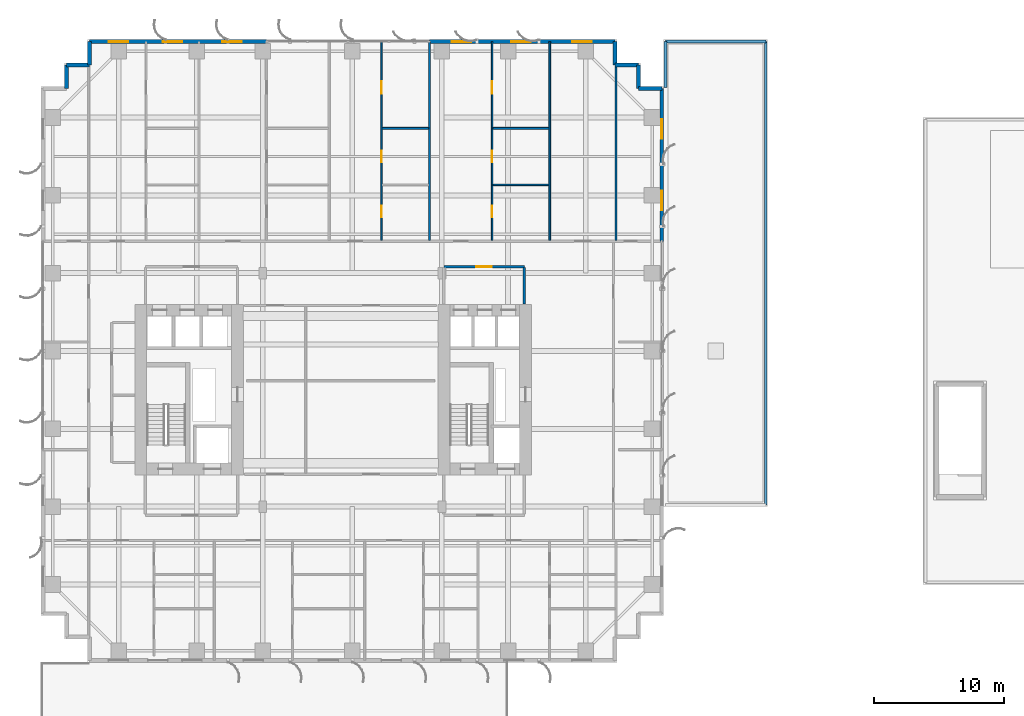
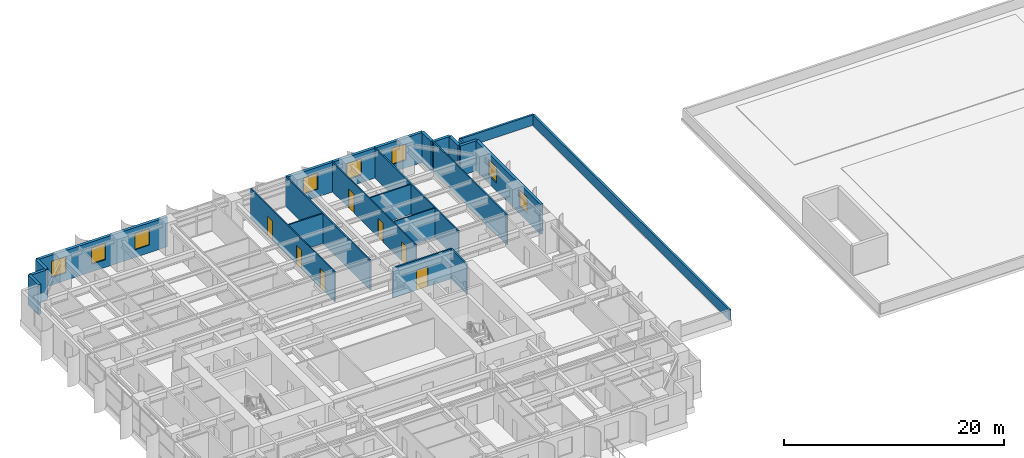
# One storey, part 15 of 21: 23 walls, 8 windows, 7 doors, 15 openings.
"""IFC4 building model written with IfcOpenShell, lengths in metres."""

from ifc_helpers import new_model, si_unit, direction, frame, frame_2d, origin, place, context, subcontext, project, spatial, rectangle, extrude, source, transform, mapped, material, layer, layer_set, type_object, element, fill, save


model = new_model("IFC4")

# Units and contexts
model_context = context("Model", 3, precision=1e-05, world=origin(), true_north=direction((0.0, 1.0)))
body_context = subcontext(model_context, "Body", "Model", "MODEL_VIEW")
ifc_project = project(units=[si_unit("LENGTHUNIT", "METRE"), si_unit("AREAUNIT", "SQUARE_METRE"), si_unit("VOLUMEUNIT", "CUBIC_METRE"), si_unit("PLANEANGLEUNIT", "RADIAN"), si_unit("MASSUNIT", "GRAM", prefix="KILO")], contexts=[model_context])

# Site, building, storey
site_placement = place(None, origin())
site = spatial("IfcSite", under=ifc_project, at=site_placement, CompositionType="ELEMENT")
building_placement = place(site_placement, origin())
building = spatial("IfcBuilding", under=site, at=building_placement, Name="Khoralis Quay Care Tower", CompositionType="ELEMENT")
storey_placement = place(building_placement, frame((0.0, 0.0, 22.5)))
storey = spatial("IfcBuildingStorey", under=building, at=storey_placement, Name="L05", CompositionType="ELEMENT", Elevation=22.5)

# Wall, opening, door
ifc_material_1 = material(Name="Gypsum plasterboard on acoustic metal stud")
ifc_layer_1 = layer(ifc_material_1, 0.1650390625)
ifc_layer_set_1 = layer_set([ifc_layer_1], Name="Gypsum plasterboard on acoustic metal stud")
wall_type_1 = type_object("IfcWallType", Name="WL-CORR-165", PredefinedType="PARTITIONING", material=ifc_layer_set_1)
wall_1_placement = place(storey_placement, frame((31.050048828125, 30.5, 0.0), z_axis=(0.0, 0.0, 1.0), x_axis=(1.0, 0.0, 0.0)))
wall_1 = element("IfcWall", 1, at=wall_1_placement, inside=storey, type_object=wall_type_1, Name="L05 East Lift Lobby North Wall", PredefinedType="PARTITIONING", context=body_context, shape_type="SweptSolid", body=[
    extrude(rectangle(XDim=6.199951171875, YDim=0.1650390625, at=frame_2d((3.10009765625, 0.0))), origin(), (0.0, 0.0, 1.0), 3.320068359375),
])
opening_1_placement = place(wall_1_placement, frame((2.5, 0.0, 0.0)))
opening_1 = element("IfcOpeningElement", 2, at=opening_1_placement, cuts=wall_1, Name="Opening FD1", PredefinedType="OPENING", context=body_context, shape_type="SweptSolid", body=[
    extrude(rectangle(XDim=1.199951171875, YDim=2.199951171875, at=frame_2d((0.60009765625, 1.10009765625))), frame((0.0, 0.092529296875, 0.0), z_axis=(0.0, -1.0, 0.0), x_axis=(1.0, 0.0, 0.0)), (0.0, 0.0, 1.0), 0.18505859375),
])
ifc_material_2 = material(Name="Fire-rated painted steel", Category="steel")
door_type_1 = type_object("IfcDoorType", Name="DR-FFL-1200X2200", OperationType="NOTDEFINED", PredefinedType="DOOR", material=ifc_material_2)
shared_shape_1 = source(origin(), body_context, "Body", "SweptSolid", [
    extrude(rectangle(XDim=1.199951171875, YDim=2.199951171875, at=frame_2d((0.60009765625, 1.10009765625))), frame((0.0, 0.02490234375, 0.0), z_axis=(0.0, -1.0, 0.0), x_axis=(1.0, 0.0, 0.0)), (0.0, 0.0, 1.0), 0.050048828125),
])
door_1_placement = place(opening_1_placement, origin())
door_1 = element("IfcDoor", 3, at=door_1_placement, inside=storey, type_object=door_type_1, Name="L05 East Lift Lobby Double Door", OperationType="DOUBLE_DOOR_SINGLE_SWING", OverallHeight=2.199951171875, OverallWidth=1.199951171875, PredefinedType="DOOR", context=body_context, shape_type="MappedRepresentation", body=[
    mapped(shared_shape_1, transform((0.0, 0.0, 0.0), scale=1.0)),
])
fill(opening_1, door_1)

# Wall
wall_2_placement = place(storey_placement, frame((37.25, 27.6201171875, 0.0), z_axis=(0.0, 0.0, 1.0), x_axis=(0.0, 1.0, 0.0)))
element("IfcWall", 4, at=wall_2_placement, inside=storey, type_object=wall_type_1, Name="L05 East Lift Lobby East Wall", PredefinedType="PARTITIONING", context=body_context, shape_type="SweptSolid", body=[
    extrude(rectangle(XDim=2.802490234375, YDim=0.1650390625, at=frame_2d((1.4013671875, 0.0))), origin(), (0.0, 0.0, 1.0), 3.320068359375),
])

# Wall, openings, windows
ifc_material_3 = material(Name="Precast concrete C45/55", Category="concrete")
ifc_layer_2 = layer(ifc_material_3, 0.300048828125)
ifc_layer_set_2 = layer_set([ifc_layer_2], Name="Precast concrete C45/55")
wall_type_2 = type_object("IfcWallType", Name="WL-EXT-REF-300", PredefinedType="SOLIDWALL", material=ifc_layer_set_2)
wall_3_placement = place(storey_placement, frame((47.85009765625, 32.4599609375, 0.0), z_axis=(0.0, 0.0, 1.0), x_axis=(0.0, 1.0, 0.0)))
wall_3 = element("IfcWall", 5, at=wall_3_placement, inside=storey, type_object=wall_type_2, Name="L05 External Facade Wall WL-EXT-L05-P1-E5B", PredefinedType="SOLIDWALL", context=body_context, shape_type="SweptSolid", body=[
    extrude(rectangle(XDim=11.7900390625, YDim=0.300048828125, at=frame_2d((5.89501953125, 0.0))), origin(), (0.0, 0.0, 1.0), 3.320068359375),
])
opening_2_placement = place(wall_3_placement, frame((2.37744140625, 0.0, 0.85009765625)))
opening_2 = element("IfcOpeningElement", 6, at=opening_2_placement, cuts=wall_3, Name="Opening W3", PredefinedType="OPENING", context=body_context, shape_type="SweptSolid", body=[
    extrude(rectangle(XDim=1.5, YDim=1.800048828125, at=frame_2d((0.75, 0.89990234375))), frame((0.0, 0.16015625, 0.0), z_axis=(0.0, -1.0, 0.0), x_axis=(1.0, 0.0, 0.0)), (0.0, 0.0, 1.0), 0.320068359375),
])
opening_3_placement = place(wall_3_placement, frame((7.91259765625, 0.0, 0.85009765625)))
opening_3 = element("IfcOpeningElement", 7, at=opening_3_placement, cuts=wall_3, Name="Opening W3", PredefinedType="OPENING", context=body_context, shape_type="SweptSolid", body=[
    extrude(rectangle(XDim=1.5, YDim=1.800048828125, at=frame_2d((0.75, 0.89990234375))), frame((0.0, 0.16015625, 0.0), z_axis=(0.0, -1.0, 0.0), x_axis=(1.0, 0.0, 0.0)), (0.0, 0.0, 1.0), 0.320068359375),
])
ifc_material_4 = material(Name="Low-E solar-control double glazing", Category="glass")
window_type = type_object("IfcWindowType", Name="WN-CLIN-1500X1800", PartitioningType="SINGLE_PANEL", PredefinedType="WINDOW", material=ifc_material_4)
shared_shape_2 = source(origin(), body_context, "Body", "SweptSolid", [
    extrude(rectangle(XDim=1.5, YDim=1.800048828125, at=frame_2d((0.75, 0.89990234375))), frame((0.0, 0.030029296875, 0.0), z_axis=(0.0, -1.0, 0.0), x_axis=(1.0, 0.0, 0.0)), (0.0, 0.0, 1.0), 0.06005859375),
])
window_1_placement = place(opening_2_placement, origin())
window_1 = element("IfcWindow", 8, at=window_1_placement, inside=storey, type_object=window_type, Name="WN-L05-P1-E5B Facade Window 01", OverallHeight=1.800048828125, OverallWidth=1.5, PartitioningType="SINGLE_PANEL", PredefinedType="WINDOW", context=body_context, shape_type="MappedRepresentation", body=[
    mapped(shared_shape_2, transform((0.0, 0.0, 0.0), scale=1.0)),
])
fill(opening_2, window_1)
window_2_placement = place(opening_3_placement, origin())
window_2 = element("IfcWindow", 9, at=window_2_placement, inside=storey, type_object=window_type, Name="WN-L05-P1-E5B Facade Window 02", OverallHeight=1.800048828125, OverallWidth=1.5, PartitioningType="SINGLE_PANEL", PredefinedType="WINDOW", context=body_context, shape_type="MappedRepresentation", body=[
    mapped(shared_shape_2, transform((0.0, 0.0, 0.0), scale=1.0)),
])
fill(opening_3, window_2)

# Walls
for number, where, z_axis, x_axis, name in (
    (10, (47.85009765625, 44.25, 0.0), (0.0, 0.0, 1.0), (-1.0, 0.0, 0.0), "L05 External Facade Wall WL-EXT-L05-P1-C6"),
    (11, (46.050048828125, 44.25, 0.0), (0.0, 0.0, 1.0), (0.0, 1.0, 0.0), "L05 External Facade Wall WL-EXT-L05-P1-C7"),
    (12, (46.050048828125, 46.050048828125, 0.0), (0.0, 0.0, 1.0), (-1.0, 0.0, 0.0), "L05 External Facade Wall WL-EXT-L05-P1-C8"),
    (13, (44.25, 46.050048828125, 0.0), (0.0, 0.0, 1.0), (0.0, 1.0, 0.0), "L05 External Facade Wall WL-EXT-L05-P1-C9"),
):
    element("IfcWall", number, at=place(storey_placement, frame(where, z_axis=z_axis, x_axis=x_axis)), inside=storey, type_object=wall_type_2, Name=name, PredefinedType="SOLIDWALL", context=body_context, shape_type="SweptSolid", body=[
        extrude(rectangle(XDim=1.800048828125, YDim=0.300048828125, at=frame_2d((0.89990234375, 0.0))), origin(), (0.0, 0.0, 1.0), 3.320068359375),
    ])

# Wall, openings, windows
wall_4_placement = place(storey_placement, frame((44.25, 47.85009765625, 0.0), z_axis=(0.0, 0.0, 1.0), x_axis=(-1.0, 0.0, 0.0)))
wall_4 = element("IfcWall", 14, at=wall_4_placement, inside=storey, type_object=wall_type_2, Name="L05 External Facade Wall WL-EXT-L05-P1-E10A", PredefinedType="SOLIDWALL", context=body_context, shape_type="SweptSolid", body=[
    extrude(rectangle(XDim=14.300048828125, YDim=0.300048828125, at=frame_2d((7.14990234375, 0.0))), origin(), (0.0, 0.0, 1.0), 3.320068359375),
])
opening_4_placement = place(wall_4_placement, frame((1.81494140625, 0.0, 0.85009765625)))
opening_4 = element("IfcOpeningElement", 15, at=opening_4_placement, cuts=wall_4, Name="Opening W3", PredefinedType="OPENING", context=body_context, shape_type="SweptSolid", body=[
    extrude(rectangle(XDim=1.5, YDim=1.800048828125, at=frame_2d((0.75, 0.89990234375))), frame((0.0, 0.16015625, 0.0), z_axis=(0.0, -1.0, 0.0), x_axis=(1.0, 0.0, 0.0)), (0.0, 0.0, 1.0), 0.320068359375),
])
opening_5_placement = place(wall_4_placement, frame((6.5048828125, 0.0, 0.85009765625)))
opening_5 = element("IfcOpeningElement", 16, at=opening_5_placement, cuts=wall_4, Name="Opening W3", PredefinedType="OPENING", context=body_context, shape_type="SweptSolid", body=[
    extrude(rectangle(XDim=1.5, YDim=1.800048828125, at=frame_2d((0.75, 0.89990234375))), frame((0.0, 0.16015625, 0.0), z_axis=(0.0, -1.0, 0.0), x_axis=(1.0, 0.0, 0.0)), (0.0, 0.0, 1.0), 0.320068359375),
])
opening_6_placement = place(wall_4_placement, frame((11.090087890625, 0.0, 0.85009765625)))
opening_6 = element("IfcOpeningElement", 17, at=opening_6_placement, cuts=wall_4, Name="Opening W3", PredefinedType="OPENING", context=body_context, shape_type="SweptSolid", body=[
    extrude(rectangle(XDim=1.5, YDim=1.800048828125, at=frame_2d((0.75, 0.89990234375))), frame((0.0, 0.16015625, 0.0), z_axis=(0.0, -1.0, 0.0), x_axis=(1.0, 0.0, 0.0)), (0.0, 0.0, 1.0), 0.320068359375),
])
window_3_placement = place(opening_4_placement, origin())
window_3 = element("IfcWindow", 18, at=window_3_placement, inside=storey, type_object=window_type, Name="WN-L05-P1-E10A Facade Window 01", OverallHeight=1.800048828125, OverallWidth=1.5, PartitioningType="SINGLE_PANEL", PredefinedType="WINDOW", context=body_context, shape_type="MappedRepresentation", body=[
    mapped(shared_shape_2, transform((0.0, 0.0, 0.0), scale=1.0)),
])
fill(opening_4, window_3)
window_4_placement = place(opening_5_placement, origin())
window_4 = element("IfcWindow", 19, at=window_4_placement, inside=storey, type_object=window_type, Name="WN-L05-P1-E10A Facade Window 02", OverallHeight=1.800048828125, OverallWidth=1.5, PartitioningType="SINGLE_PANEL", PredefinedType="WINDOW", context=body_context, shape_type="MappedRepresentation", body=[
    mapped(shared_shape_2, transform((0.0, 0.0, 0.0), scale=1.0)),
])
fill(opening_5, window_4)
window_5_placement = place(opening_6_placement, origin())
window_5 = element("IfcWindow", 20, at=window_5_placement, inside=storey, type_object=window_type, Name="WN-L05-P1-E10A Facade Window 03", OverallHeight=1.800048828125, OverallWidth=1.5, PartitioningType="SINGLE_PANEL", PredefinedType="WINDOW", context=body_context, shape_type="MappedRepresentation", body=[
    mapped(shared_shape_2, transform((0.0, 0.0, 0.0), scale=1.0)),
])
fill(opening_6, window_5)

wall_5_placement = place(storey_placement, frame((17.39599609375, 47.85009765625, 0.0), z_axis=(0.0, 0.0, 1.0), x_axis=(-1.0, 0.0, 0.0)))
wall_5 = element("IfcWall", 21, at=wall_5_placement, inside=storey, type_object=wall_type_2, Name="L05 External Facade Wall WL-EXT-L05-P1-E10B", PredefinedType="SOLIDWALL", context=body_context, shape_type="SweptSolid", body=[
    extrude(rectangle(XDim=13.64599609375, YDim=0.300048828125, at=frame_2d((6.822998046875, 0.0))), origin(), (0.0, 0.0, 1.0), 3.320068359375),
])
opening_7_placement = place(wall_5_placement, frame((1.907958984375, 0.0, 0.85009765625)))
opening_7 = element("IfcOpeningElement", 22, at=opening_7_placement, cuts=wall_5, Name="Opening W3", PredefinedType="OPENING", context=body_context, shape_type="SweptSolid", body=[
    extrude(rectangle(XDim=1.5, YDim=1.800048828125, at=frame_2d((0.75, 0.89990234375))), frame((0.0, 0.16015625, 0.0), z_axis=(0.0, -1.0, 0.0), x_axis=(1.0, 0.0, 0.0)), (0.0, 0.0, 1.0), 0.320068359375),
])
opening_8_placement = place(wall_5_placement, frame((6.506103515625, 0.0, 0.85009765625)))
opening_8 = element("IfcOpeningElement", 23, at=opening_8_placement, cuts=wall_5, Name="Opening W3", PredefinedType="OPENING", context=body_context, shape_type="SweptSolid", body=[
    extrude(rectangle(XDim=1.5, YDim=1.800048828125, at=frame_2d((0.75, 0.89990234375))), frame((0.0, 0.16015625, 0.0), z_axis=(0.0, -1.0, 0.0), x_axis=(1.0, 0.0, 0.0)), (0.0, 0.0, 1.0), 0.320068359375),
])
opening_9_placement = place(wall_5_placement, frame((10.6708984375, 0.0, 0.85009765625)))
opening_9 = element("IfcOpeningElement", 24, at=opening_9_placement, cuts=wall_5, Name="Opening W3", PredefinedType="OPENING", context=body_context, shape_type="SweptSolid", body=[
    extrude(rectangle(XDim=1.5, YDim=1.800048828125, at=frame_2d((0.75, 0.89990234375))), frame((0.0, 0.16015625, 0.0), z_axis=(0.0, -1.0, 0.0), x_axis=(1.0, 0.0, 0.0)), (0.0, 0.0, 1.0), 0.320068359375),
])
window_6_placement = place(opening_7_placement, origin())
window_6 = element("IfcWindow", 25, at=window_6_placement, inside=storey, type_object=window_type, Name="WN-L05-P1-E10B Facade Window 01", OverallHeight=1.800048828125, OverallWidth=1.5, PartitioningType="SINGLE_PANEL", PredefinedType="WINDOW", context=body_context, shape_type="MappedRepresentation", body=[
    mapped(shared_shape_2, transform((0.0, 0.0, 0.0), scale=1.0)),
])
fill(opening_7, window_6)
window_7_placement = place(opening_8_placement, origin())
window_7 = element("IfcWindow", 26, at=window_7_placement, inside=storey, type_object=window_type, Name="WN-L05-P1-E10B Facade Window 02", OverallHeight=1.800048828125, OverallWidth=1.5, PartitioningType="SINGLE_PANEL", PredefinedType="WINDOW", context=body_context, shape_type="MappedRepresentation", body=[
    mapped(shared_shape_2, transform((0.0, 0.0, 0.0), scale=1.0)),
])
fill(opening_8, window_7)
window_8_placement = place(opening_9_placement, origin())
window_8 = element("IfcWindow", 27, at=window_8_placement, inside=storey, type_object=window_type, Name="WN-L05-P1-E10B Facade Window 03", OverallHeight=1.800048828125, OverallWidth=1.5, PartitioningType="SINGLE_PANEL", PredefinedType="WINDOW", context=body_context, shape_type="MappedRepresentation", body=[
    mapped(shared_shape_2, transform((0.0, 0.0, 0.0), scale=1.0)),
])
fill(opening_9, window_8)

# Walls
for number, where, z_axis, x_axis, name in (
    (28, (3.75, 47.85009765625, 0.0), (0.0, 0.0, 1.0), (0.0, -1.0, 0.0), "L05 External Facade Wall WL-EXT-L05-P1-C11"),
    (29, (3.75, 46.050048828125, 0.0), (0.0, 0.0, 1.0), (-1.0, 0.0, 0.0), "L05 External Facade Wall WL-EXT-L05-P1-C12"),
    (30, (1.949951171875, 46.050048828125, 0.0), (0.0, 0.0, 1.0), (0.0, -1.0, 0.0), "L05 External Facade Wall WL-EXT-L05-P1-C13"),
):
    element("IfcWall", number, at=place(storey_placement, frame(where, z_axis=z_axis, x_axis=x_axis)), inside=storey, type_object=wall_type_2, Name=name, PredefinedType="SOLIDWALL", context=body_context, shape_type="SweptSolid", body=[
        extrude(rectangle(XDim=1.800048828125, YDim=0.300048828125, at=frame_2d((0.89990234375, 0.0))), origin(), (0.0, 0.0, 1.0), 3.320068359375),
    ])
ifc_material_5 = material(Name="Precast concrete C40/50", Category="concrete")
ifc_layer_3 = layer(ifc_material_5, 0.219970703125)
ifc_layer_set_3 = layer_set([ifc_layer_3], Name="Precast concrete C40/50")
wall_type_3 = type_object("IfcWallType", Name="WL-PARAPET-220", PredefinedType="PARAPET", material=ifc_layer_set_3)
wall_6_placement = place(storey_placement, frame((55.8701171875, 12.1298828125, 0.0), z_axis=(0.0, 0.0, 1.0), x_axis=(0.0, 1.0, 0.0)))
element("IfcWall", 31, at=wall_6_placement, inside=storey, type_object=wall_type_3, Name="Podium East Roof Parapet 2", PredefinedType="PARAPET", context=body_context, shape_type="SweptSolid", body=[
    extrude(rectangle(XDim=35.740234375, YDim=0.219970703125, at=frame_2d((17.8701171875, 0.0))), origin(), (0.0, 0.0, 1.0), 1.14990234375),
])
wall_7_placement = place(storey_placement, frame((55.8701171875, 47.8701171875, 0.0), z_axis=(0.0, 0.0, 1.0), x_axis=(-1.0, 0.0, 0.0)))
element("IfcWall", 32, at=wall_7_placement, inside=storey, type_object=wall_type_3, Name="Podium East Roof Parapet 3", PredefinedType="PARAPET", context=body_context, shape_type="SweptSolid", body=[
    extrude(rectangle(XDim=7.740234375, YDim=0.219970703125, at=frame_2d((3.8701171875, 0.0))), origin(), (0.0, 0.0, 1.0), 1.14990234375),
])
wall_8_placement = place(storey_placement, frame((48.1298828125, 47.8701171875, 0.0), z_axis=(0.0, 0.0, 1.0), x_axis=(0.0, -1.0, 0.0)))
element("IfcWall", 33, at=wall_8_placement, inside=storey, type_object=wall_type_3, Name="Podium East Roof Parapet 4", PredefinedType="PARAPET", context=body_context, shape_type="SweptSolid", body=[
    extrude(rectangle(XDim=3.570068359375, YDim=0.219970703125, at=frame_2d((1.78515625, 0.0))), origin(), (0.0, 0.0, 1.0), 1.14990234375),
])

# Wall, openings, doors
ifc_layer_4 = layer(ifc_material_1, 0.114990234375)
ifc_layer_set_4 = layer_set([ifc_layer_4], Name="Gypsum plasterboard on acoustic metal stud")
wall_type_4 = type_object("IfcWallType", Name="WL-PART-115", PredefinedType="PARTITIONING", material=ifc_layer_set_4)
wall_9_placement = place(storey_placement, frame((26.235107421875, 32.53759765625, 0.0), z_axis=(0.0, 0.0, 1.0), x_axis=(0.0, 1.0, 0.0)))
wall_9 = element("IfcWall", 34, at=wall_9_placement, inside=storey, type_object=wall_type_4, Name="L05 Unit 2 Internal Wall", PredefinedType="PARTITIONING", context=body_context, shape_type="SweptSolid", body=[
    extrude(rectangle(XDim=15.3173828125, YDim=0.114990234375, at=frame_2d((7.65869140625, 0.0))), origin(), (0.0, 0.0, 1.0), 3.320068359375),
])
opening_10_placement = place(wall_9_placement, frame((11.29345703125, 0.0, 0.0)))
opening_10 = element("IfcOpeningElement", 35, at=opening_10_placement, cuts=wall_9, Name="Opening ID1", PredefinedType="OPENING", context=body_context, shape_type="SweptSolid", body=[
    extrude(rectangle(XDim=0.949951171875, YDim=2.10009765625, at=frame_2d((0.47509765625, 1.050048828125))), frame((0.0, 0.0673828125, 0.0), z_axis=(0.0, -1.0, 0.0), x_axis=(1.0, 0.0, 0.0)), (0.0, 0.0, 1.0), 0.135009765625),
])
opening_11_placement = place(wall_9_placement, frame((5.9990234375, 0.0, 0.0)))
opening_11 = element("IfcOpeningElement", 36, at=opening_11_placement, cuts=wall_9, Name="Opening WD1", PredefinedType="OPENING", context=body_context, shape_type="SweptSolid", body=[
    extrude(rectangle(XDim=0.89990234375, YDim=2.10009765625, at=frame_2d((0.449951171875, 1.050048828125))), frame((0.0, 0.0673828125, 0.0), z_axis=(0.0, -1.0, 0.0), x_axis=(1.0, 0.0, 0.0)), (0.0, 0.0, 1.0), 0.135009765625),
])
opening_12_placement = place(wall_9_placement, frame((1.762939453125, 0.0, 0.0)))
opening_12 = element("IfcOpeningElement", 37, at=opening_12_placement, cuts=wall_9, Name="Opening WD1", PredefinedType="OPENING", context=body_context, shape_type="SweptSolid", body=[
    extrude(rectangle(XDim=0.89990234375, YDim=2.10009765625, at=frame_2d((0.449951171875, 1.050048828125))), frame((0.0, 0.0673828125, 0.0), z_axis=(0.0, -1.0, 0.0), x_axis=(1.0, 0.0, 0.0)), (0.0, 0.0, 1.0), 0.135009765625),
])
ifc_material_6 = material(Name="Acoustic hardwood timber", Category="wood")
door_type_2 = type_object("IfcDoorType", Name="DR-BATH-900X2100", OperationType="NOTDEFINED", PredefinedType="DOOR", material=ifc_material_6)
shared_shape_3 = source(origin(), body_context, "Body", "SweptSolid", [
    extrude(rectangle(XDim=0.89990234375, YDim=2.10009765625, at=frame_2d((0.449951171875, 1.050048828125))), frame((0.0, 0.02490234375, 0.0), z_axis=(0.0, -1.0, 0.0), x_axis=(1.0, 0.0, 0.0)), (0.0, 0.0, 1.0), 0.050048828125),
])
door_2_placement = place(opening_11_placement, frame((0.89990234375, 0.0, 0.0), z_axis=(0.0, 0.0, 1.0), x_axis=(-1.0, 0.0, 0.0)))
door_2 = element("IfcDoor", 38, at=door_2_placement, inside=storey, type_object=door_type_2, Name="L05 Apartment NB2 KIT Door", OperationType="SINGLE_SWING_LEFT", OverallHeight=2.10009765625, OverallWidth=0.89990234375, PredefinedType="DOOR", context=body_context, shape_type="MappedRepresentation", body=[
    mapped(shared_shape_3, transform((0.0, 0.0, 0.0), scale=1.0)),
])
fill(opening_11, door_2)
door_3_placement = place(opening_12_placement, frame((0.89990234375, 0.0, 0.0), z_axis=(0.0, 0.0, 1.0), x_axis=(-1.0, 0.0, 0.0)))
door_3 = element("IfcDoor", 39, at=door_3_placement, inside=storey, type_object=door_type_2, Name="L05 Apartment NB2 BTH Door", OperationType="SINGLE_SWING_RIGHT", OverallHeight=2.10009765625, OverallWidth=0.89990234375, PredefinedType="DOOR", context=body_context, shape_type="MappedRepresentation", body=[
    mapped(shared_shape_3, transform((0.0, 0.0, 0.0), scale=1.0)),
])
fill(opening_12, door_3)
door_type_3 = type_object("IfcDoorType", Name="DR-ROOM-950X2100", OperationType="NOTDEFINED", PredefinedType="DOOR", material=ifc_material_6)
shared_shape_4 = source(origin(), body_context, "Body", "SweptSolid", [
    extrude(rectangle(XDim=0.949951171875, YDim=2.10009765625, at=frame_2d((0.47509765625, 1.050048828125))), frame((0.0, 0.02490234375, 0.0), z_axis=(0.0, -1.0, 0.0), x_axis=(1.0, 0.0, 0.0)), (0.0, 0.0, 1.0), 0.050048828125),
])
door_4_placement = place(opening_10_placement, frame((0.949951171875, 0.0, 0.0), z_axis=(0.0, 0.0, 1.0), x_axis=(-1.0, 0.0, 0.0)))
door_4 = element("IfcDoor", 40, at=door_4_placement, inside=storey, type_object=door_type_3, Name="L05 Apartment NB2 BED Door", OperationType="SINGLE_SWING_RIGHT", OverallHeight=2.10009765625, OverallWidth=0.949951171875, PredefinedType="DOOR", context=body_context, shape_type="MappedRepresentation", body=[
    mapped(shared_shape_4, transform((0.0, 0.0, 0.0), scale=1.0)),
])
fill(opening_10, door_4)

wall_10_placement = place(storey_placement, frame((34.77001953125, 32.53759765625, 0.0), z_axis=(0.0, 0.0, 1.0), x_axis=(0.0, 1.0, 0.0)))
wall_10 = element("IfcWall", 41, at=wall_10_placement, inside=storey, type_object=wall_type_4, Name="L05 Unit 3 Internal Wall", PredefinedType="PARTITIONING", context=body_context, shape_type="SweptSolid", body=[
    extrude(rectangle(XDim=15.3173828125, YDim=0.114990234375, at=frame_2d((7.65869140625, 0.0))), origin(), (0.0, 0.0, 1.0), 3.320068359375),
])
opening_13_placement = place(wall_10_placement, frame((11.29345703125, 0.0, 0.0)))
opening_13 = element("IfcOpeningElement", 42, at=opening_13_placement, cuts=wall_10, Name="Opening ID1", PredefinedType="OPENING", context=body_context, shape_type="SweptSolid", body=[
    extrude(rectangle(XDim=0.949951171875, YDim=2.10009765625, at=frame_2d((0.47509765625, 1.050048828125))), frame((0.0, 0.0673828125, 0.0), z_axis=(0.0, -1.0, 0.0), x_axis=(1.0, 0.0, 0.0)), (0.0, 0.0, 1.0), 0.135009765625),
])
opening_14_placement = place(wall_10_placement, frame((5.9990234375, 0.0, 0.0)))
opening_14 = element("IfcOpeningElement", 43, at=opening_14_placement, cuts=wall_10, Name="Opening WD1", PredefinedType="OPENING", context=body_context, shape_type="SweptSolid", body=[
    extrude(rectangle(XDim=0.89990234375, YDim=2.10009765625, at=frame_2d((0.449951171875, 1.050048828125))), frame((0.0, 0.0673828125, 0.0), z_axis=(0.0, -1.0, 0.0), x_axis=(1.0, 0.0, 0.0)), (0.0, 0.0, 1.0), 0.135009765625),
])
opening_15_placement = place(wall_10_placement, frame((1.762939453125, 0.0, 0.0)))
opening_15 = element("IfcOpeningElement", 44, at=opening_15_placement, cuts=wall_10, Name="Opening WD1", PredefinedType="OPENING", context=body_context, shape_type="SweptSolid", body=[
    extrude(rectangle(XDim=0.89990234375, YDim=2.10009765625, at=frame_2d((0.449951171875, 1.050048828125))), frame((0.0, 0.0673828125, 0.0), z_axis=(0.0, -1.0, 0.0), x_axis=(1.0, 0.0, 0.0)), (0.0, 0.0, 1.0), 0.135009765625),
])
door_5_placement = place(opening_14_placement, frame((0.89990234375, 0.0, 0.0), z_axis=(0.0, 0.0, 1.0), x_axis=(-1.0, 0.0, 0.0)))
door_5 = element("IfcDoor", 45, at=door_5_placement, inside=storey, type_object=door_type_2, Name="L05 Apartment NB3 KIT Door", OperationType="SINGLE_SWING_RIGHT", OverallHeight=2.10009765625, OverallWidth=0.89990234375, PredefinedType="DOOR", context=body_context, shape_type="MappedRepresentation", body=[
    mapped(shared_shape_3, transform((0.0, 0.0, 0.0), scale=1.0)),
])
fill(opening_14, door_5)
door_6_placement = place(opening_15_placement, frame((0.89990234375, 0.0, 0.0), z_axis=(0.0, 0.0, 1.0), x_axis=(-1.0, 0.0, 0.0)))
door_6 = element("IfcDoor", 46, at=door_6_placement, inside=storey, type_object=door_type_2, Name="L05 Apartment NB3 BTH Door", OperationType="SINGLE_SWING_LEFT", OverallHeight=2.10009765625, OverallWidth=0.89990234375, PredefinedType="DOOR", context=body_context, shape_type="MappedRepresentation", body=[
    mapped(shared_shape_3, transform((0.0, 0.0, 0.0), scale=1.0)),
])
fill(opening_15, door_6)
door_7_placement = place(opening_13_placement, frame((0.949951171875, 0.0, 0.0), z_axis=(0.0, 0.0, 1.0), x_axis=(-1.0, 0.0, 0.0)))
door_7 = element("IfcDoor", 47, at=door_7_placement, inside=storey, type_object=door_type_3, Name="L05 Apartment NB3 BED Door", OperationType="SINGLE_SWING_LEFT", OverallHeight=2.10009765625, OverallWidth=0.949951171875, PredefinedType="DOOR", context=body_context, shape_type="MappedRepresentation", body=[
    mapped(shared_shape_4, transform((0.0, 0.0, 0.0), scale=1.0)),
])
fill(opening_13, door_7)

# Walls
wall_11_placement = place(storey_placement, frame((34.822509765625, 36.81103515625, 0.0), z_axis=(0.0, 0.0, 1.0), x_axis=(1.0, 0.0, 0.0)))
element("IfcWall", 48, at=wall_11_placement, inside=storey, type_object=wall_type_4, Name="L05 Unit 3 Kitchen Wall", PredefinedType="PARTITIONING", context=body_context, shape_type="SweptSolid", body=[
    extrude(rectangle(XDim=4.33251953125, YDim=0.114990234375, at=frame_2d((2.166259765625, 0.0))), origin(), (0.0, 0.0, 1.0), 3.320068359375),
])
ifc_material_7 = material(Name="Moisture-resistant gypsum and ceramic tile")
ifc_layer_5 = layer(ifc_material_7, 0.280029296875)
ifc_layer_set_5 = layer_set([ifc_layer_5], Name="Moisture-resistant gypsum and ceramic tile")
wall_type_5 = type_object("IfcWallType", Name="WL-PLUMB-280", PredefinedType="PLUMBINGWALL", material=ifc_layer_set_5)
wall_12_placement = place(storey_placement, frame((26.28759765625, 41.162109375, 0.0), z_axis=(0.0, 0.0, 1.0), x_axis=(1.0, 0.0, 0.0)))
element("IfcWall", 49, at=wall_12_placement, inside=storey, type_object=wall_type_5, Name="L05 Unit 2 Wet Wall", PredefinedType="PLUMBINGWALL", context=body_context, shape_type="SweptSolid", body=[
    extrude(rectangle(XDim=3.597412109375, YDim=0.139892578125, at=frame_2d((1.798828125, 0.0))), origin(), (0.0, 0.0, 1.0), 3.320068359375),
])
wall_13_placement = place(storey_placement, frame((34.822509765625, 41.162109375, 0.0), z_axis=(0.0, 0.0, 1.0), x_axis=(1.0, 0.0, 0.0)))
element("IfcWall", 50, at=wall_13_placement, inside=storey, type_object=wall_type_5, Name="L05 Unit 3 Wet Wall", PredefinedType="PLUMBINGWALL", context=body_context, shape_type="SweptSolid", body=[
    extrude(rectangle(XDim=4.33251953125, YDim=0.139892578125, at=frame_2d((2.166259765625, 0.0))), origin(), (0.0, 0.0, 1.0), 3.320068359375),
])
ifc_layer_6 = layer(ifc_material_1, 0.139892578125)
ifc_layer_set_6 = layer_set([ifc_layer_6], Name="Gypsum plasterboard on acoustic metal stud")
wall_type_6 = type_object("IfcWallType", Name="WL-UNIT-140", PredefinedType="PARTITIONING", material=ifc_layer_set_6)
for number, where, z_axis, x_axis, name in (
    (51, (29.949951171875, 32.53759765625, 0.0), (0.0, 0.0, 1.0), (0.0, 1.0, 0.0), "L05 NB Demising Wall 3"),
    (52, (39.219970703125, 32.53759765625, 0.0), (0.0, 0.0, 1.0), (0.0, 1.0, 0.0), "L05 NB Demising Wall 4"),
):
    element("IfcWall", number, at=place(storey_placement, frame(where, z_axis=z_axis, x_axis=x_axis)), inside=storey, type_object=wall_type_6, Name=name, PredefinedType="PARTITIONING", context=body_context, shape_type="SweptSolid", body=[
        extrude(rectangle(XDim=15.3173828125, YDim=0.139892578125, at=frame_2d((7.65869140625, 0.0))), origin(), (0.0, 0.0, 1.0), 3.320068359375),
    ])
wall_14_placement = place(storey_placement, frame((44.320068359375, 32.53759765625, 0.0), z_axis=(0.0, 0.0, 1.0), x_axis=(0.0, 1.0, 0.0)))
element("IfcWall", 53, at=wall_14_placement, inside=storey, type_object=wall_type_6, Name="L05 NB Demising Wall 5", PredefinedType="PARTITIONING", context=body_context, shape_type="SweptSolid", body=[
    extrude(rectangle(XDim=13.517333984375, YDim=0.139892578125, at=frame_2d((6.7587890625, 0.0))), origin(), (0.0, 0.0, 1.0), 3.320068359375),
])

save(model, "model.ifc")
